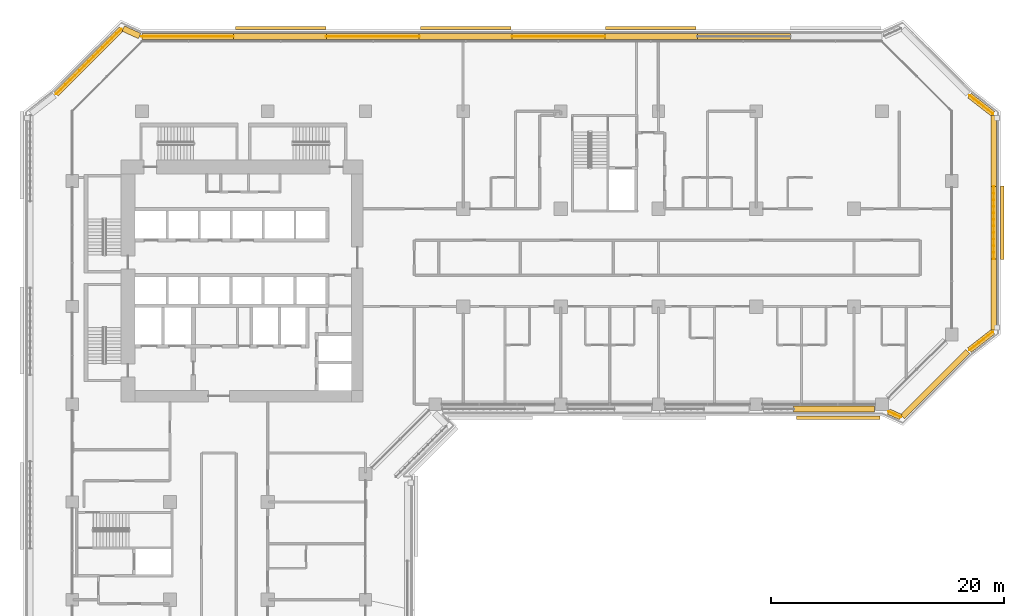
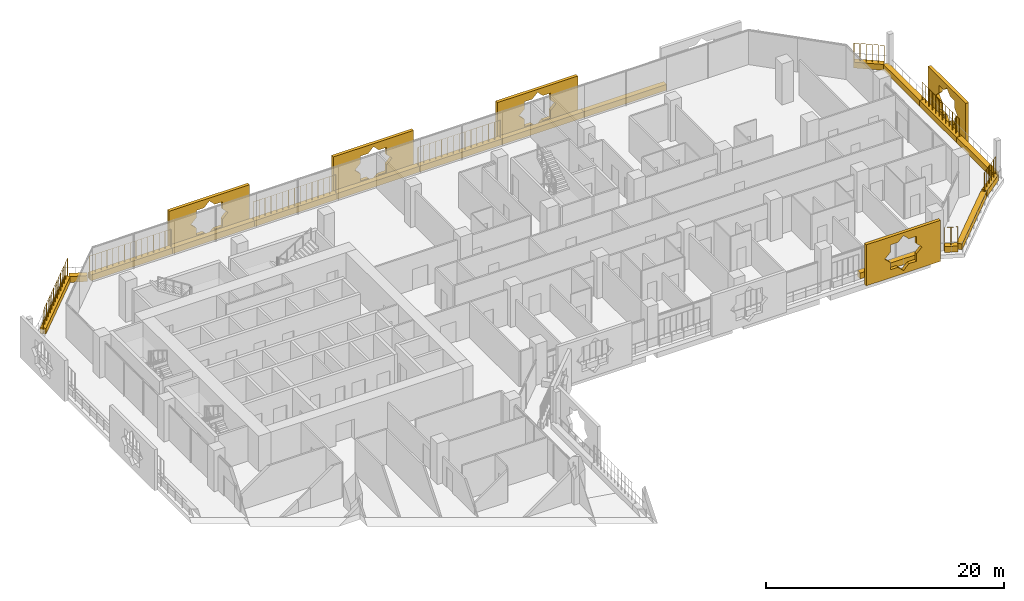
# One storey, part 24 of 25: 22 coverings, 8 railings.
"""IFC4 building model written with IfcOpenShell, lengths in metres."""

from ifc_helpers import new_model, si_unit, direction, frame, origin, origin_2d, place, context, subcontext, project, spatial, polyline, rectangle, circle, outline, extrude, material, material_profile, profile_set, type_object, element, save


model = new_model("IFC4")

# Units and contexts
model_context = context("Model", 3, precision=1e-05, world=origin(), true_north=direction((0.0, 1.0)))
body_context = subcontext(model_context, "Body", "Model", "MODEL_VIEW")
ifc_project = project(units=[si_unit("LENGTHUNIT", "METRE"), si_unit("AREAUNIT", "SQUARE_METRE"), si_unit("VOLUMEUNIT", "CUBIC_METRE"), si_unit("PLANEANGLEUNIT", "RADIAN"), si_unit("MASSUNIT", "GRAM", prefix="KILO")], contexts=[model_context])

# Site, building, storey
site_placement = place(None, origin())
site = spatial("IfcSite", under=ifc_project, at=site_placement, CompositionType="ELEMENT")
building_placement = place(site_placement, origin())
building = spatial("IfcBuilding", under=site, at=building_placement, Name="Kawkab Arch Medical Tower", CompositionType="ELEMENT")
storey_placement = place(building_placement, frame((0.0, 0.0, 136.60009765625)))
storey = spatial("IfcBuildingStorey", under=building, at=storey_placement, Name="L31", CompositionType="ELEMENT", Elevation=136.60009765625)

# Coverings
ifc_material_1 = material(Name="Bronze anodised aluminium mashrabiya panel, eight-point star pattern", Category="aluminium")
ifc_material_profile_1 = material_profile(ifc_material_1, outline(polyline([(-3.14990234375, -2.10009765625), (3.14990234375, -2.10009765625), (3.14990234375, 2.10009765625), (-3.14990234375, 2.10009765625), (-3.14990234375, -2.10009765625)]), holes=[polyline([(1.800048828125, 0.0), (1.272705078125, 0.527099609375), (1.272705078125, 1.272705078125), (0.527099609375, 1.272705078125), (0.0, 1.800048828125), (-0.527099609375, 1.272705078125), (-1.272705078125, 1.272705078125), (-1.272705078125, 0.527099609375), (-1.800048828125, 0.0), (-1.272705078125, -0.527099609375), (-1.272705078125, -1.272705078125), (-0.527099609375, -1.272705078125), (0.0, -1.800048828125), (0.527099609375, -1.272705078125), (1.272705078125, -1.272705078125), (1.272705078125, -0.527099609375), (1.800048828125, 0.0)])]), Name="Mashrabiya panel 6300x4200")
ifc_profile_set_1 = profile_set([ifc_material_profile_1], Name="Bronze anodised aluminium mashrabiya panel, eight-point star pattern")
covering_type_1 = type_object("IfcCoveringType", Name="Mashrabiya panel 6300 x 4200", PredefinedType="USERDEFINED", material=ifc_profile_set_1)
covering_1_placement = place(storey_placement, frame((79.800048828125, -9.60009765625, 1.699951171875), z_axis=(1.0, 0.0, 0.0), x_axis=(0.0, 1.0, 0.0)))
element("IfcCovering", 1, at=covering_1_placement, inside=storey, type_object=covering_type_1, Name="Mashrabiya panel L31.LOG-01-01.10", ObjectType="SCREEN", PredefinedType="USERDEFINED", context=body_context, shape_type="SweptSolid", body=[
    extrude(outline(polyline([(-3.14990234375, -2.10009765625), (3.14990234375, -2.10009765625), (3.14990234375, 2.10009765625), (-3.14990234375, 2.10009765625), (-3.14990234375, -2.10009765625)]), holes=[polyline([(1.800048828125, 0.0), (1.272705078125, 0.527099609375), (1.272705078125, 1.272705078125), (0.527099609375, 1.272705078125), (0.0, 1.800048828125), (-0.527099609375, 1.272705078125), (-1.272705078125, 1.272705078125), (-1.272705078125, 0.527099609375), (-1.800048828125, 0.0), (-1.272705078125, -0.527099609375), (-1.272705078125, -1.272705078125), (-0.527099609375, -1.272705078125), (0.0, -1.800048828125), (0.527099609375, -1.272705078125), (1.272705078125, -1.272705078125), (1.272705078125, -0.527099609375), (1.800048828125, 0.0)])]), origin(), (0.0, 0.0, 1.0), 0.300048828125),
])
ifc_material_2 = material(Name="Bronze anodised aluminium mashrabiya panel, eight-point star pattern", Category="aluminium")
ifc_material_profile_2 = material_profile(ifc_material_2, outline(polyline([(-3.60009765625, -2.10009765625), (3.60009765625, -2.10009765625), (3.60009765625, 2.10009765625), (-3.60009765625, 2.10009765625), (-3.60009765625, -2.10009765625)]), holes=[polyline([(1.800048828125, 0.0), (1.272705078125, 0.527099609375), (1.272705078125, 1.272705078125), (0.527099609375, 1.272705078125), (0.0, 1.800048828125), (-0.527099609375, 1.272705078125), (-1.272705078125, 1.272705078125), (-1.272705078125, 0.527099609375), (-1.800048828125, 0.0), (-1.272705078125, -0.527099609375), (-1.272705078125, -1.272705078125), (-0.527099609375, -1.272705078125), (0.0, -1.800048828125), (0.527099609375, -1.272705078125), (1.272705078125, -1.272705078125), (1.272705078125, -0.527099609375), (1.800048828125, 0.0)])]), Name="Mashrabiya panel 7200x4200")
ifc_profile_set_2 = profile_set([ifc_material_profile_2], Name="Bronze anodised aluminium mashrabiya panel, eight-point star pattern")
covering_type_2 = type_object("IfcCoveringType", Name="Mashrabiya panel 7200 x 4200", PredefinedType="USERDEFINED", material=ifc_profile_set_2)
covering_2_placement = place(storey_placement, frame((65.840087890625, -26.199951171875, 1.699951171875), z_axis=(0.0, -1.0, 0.0), x_axis=(1.0, 0.0, 0.0)))
element("IfcCovering", 2, at=covering_2_placement, inside=storey, type_object=covering_type_2, Name="Mashrabiya panel L31.LOG-01-01.11", ObjectType="SCREEN", PredefinedType="USERDEFINED", context=body_context, shape_type="SweptSolid", body=[
    extrude(outline(polyline([(-3.60009765625, -2.10009765625), (3.60009765625, -2.10009765625), (3.60009765625, 2.10009765625), (-3.60009765625, 2.10009765625), (-3.60009765625, -2.10009765625)]), holes=[polyline([(1.800048828125, 0.0), (1.272705078125, 0.527099609375), (1.272705078125, 1.272705078125), (0.527099609375, 1.272705078125), (0.0, 1.800048828125), (-0.527099609375, 1.272705078125), (-1.272705078125, 1.272705078125), (-1.272705078125, 0.527099609375), (-1.800048828125, 0.0), (-1.272705078125, -0.527099609375), (-1.272705078125, -1.272705078125), (-0.527099609375, -1.272705078125), (0.0, -1.800048828125), (0.527099609375, -1.272705078125), (1.272705078125, -1.272705078125), (1.272705078125, -0.527099609375), (1.800048828125, 0.0)])]), origin(), (0.0, 0.0, 1.0), 0.300048828125),
])
ifc_material_3 = material(Name="Bronze anodised aluminium mashrabiya panel, eight-point star pattern", Category="aluminium")
ifc_material_profile_3 = material_profile(ifc_material_3, outline(polyline([(-3.89990234375, -2.10009765625), (3.89990234375, -2.10009765625), (3.89990234375, 2.10009765625), (-3.89990234375, 2.10009765625), (-3.89990234375, -2.10009765625)]), holes=[polyline([(1.800048828125, 0.0), (1.272705078125, 0.527099609375), (1.272705078125, 1.272705078125), (0.527099609375, 1.272705078125), (0.0, 1.800048828125), (-0.527099609375, 1.272705078125), (-1.272705078125, 1.272705078125), (-1.272705078125, 0.527099609375), (-1.800048828125, 0.0), (-1.272705078125, -0.527099609375), (-1.272705078125, -1.272705078125), (-0.527099609375, -1.272705078125), (0.0, -1.800048828125), (0.527099609375, -1.272705078125), (1.272705078125, -1.272705078125), (1.272705078125, -0.527099609375), (1.800048828125, 0.0)])]), Name="Mashrabiya panel 7800x4200")
ifc_profile_set_3 = profile_set([ifc_material_profile_3], Name="Bronze anodised aluminium mashrabiya panel, eight-point star pattern")
covering_type_3 = type_object("IfcCoveringType", Name="Mashrabiya panel 7800 x 4200", PredefinedType="USERDEFINED", material=ifc_profile_set_3)
for number, where, z_axis, x_axis, name in (
    (3, (17.923583984375, 7.0, 1.699951171875), (0.0, 1.0, 0.0), (-1.0, 0.0, 0.0), "Mashrabiya panel L31.LOG-01-01.6"),
    (4, (33.82470703125, 7.0, 1.699951171875), (0.0, 1.0, 0.0), (-1.0, 0.0, 0.0), "Mashrabiya panel L31.LOG-01-01.7"),
    (5, (49.725830078125, 7.0, 1.699951171875), (0.0, 1.0, 0.0), (-1.0, 0.0, 0.0), "Mashrabiya panel L31.LOG-01-01.8"),
):
    element("IfcCovering", number, at=place(storey_placement, frame(where, z_axis=z_axis, x_axis=x_axis)), inside=storey, type_object=covering_type_3, Name=name, ObjectType="SCREEN", PredefinedType="USERDEFINED", context=body_context, shape_type="SweptSolid", body=[
        extrude(outline(polyline([(-3.89990234375, -2.10009765625), (3.89990234375, -2.10009765625), (3.89990234375, 2.10009765625), (-3.89990234375, 2.10009765625), (-3.89990234375, -2.10009765625)]), holes=[polyline([(1.800048828125, 0.0), (1.272705078125, 0.527099609375), (1.272705078125, 1.272705078125), (0.527099609375, 1.272705078125), (0.0, 1.800048828125), (-0.527099609375, 1.272705078125), (-1.272705078125, 1.272705078125), (-1.272705078125, 0.527099609375), (-1.800048828125, 0.0), (-1.272705078125, -0.527099609375), (-1.272705078125, -1.272705078125), (-0.527099609375, -1.272705078125), (0.0, -1.800048828125), (0.527099609375, -1.272705078125), (1.272705078125, -1.272705078125), (1.272705078125, -0.527099609375), (1.800048828125, 0.0)])]), origin(), (0.0, 0.0, 1.0), 0.300048828125),
    ])
ifc_material_4 = material(Name="Planting soil in a precast trough", Category="concrete")
ifc_material_profile_4 = material_profile(ifc_material_4, rectangle(XDim=0.5, YDim=0.60009765625, at=origin_2d()), Name="Trough 500x600")
ifc_profile_set_4 = profile_set([ifc_material_profile_4], Name="Planting soil in a precast trough")
covering_type_4 = type_object("IfcCoveringType", Name="Planter trough 500 x 600", PredefinedType="USERDEFINED", material=ifc_profile_set_4)
covering_3_placement = place(storey_placement, frame((-1.383056640625, 1.472900390625, 0.2998046875), z_axis=(0.707106781187, 0.707106781187, 0.0), x_axis=(-0.707106781187, 0.707106781187, 0.0)))
element("IfcCovering", 6, at=covering_3_placement, inside=storey, type_object=covering_type_4, Name="Planter L31.LOG-01-01.15", ObjectType="PLANTER", PredefinedType="USERDEFINED", context=body_context, shape_type="SweptSolid", body=[
    extrude(rectangle(XDim=0.5, YDim=0.60009765625, at=origin_2d()), origin(), (0.0, 0.0, 1.0), 7.919677734375),
])
covering_4_placement = place(storey_placement, frame((4.37890625, 7.10205078125, 0.2998046875), z_axis=(0.909655525109, -0.415363486165, 0.0), x_axis=(0.415363486165, 0.909655525109, 0.0)))
element("IfcCovering", 7, at=covering_4_placement, inside=storey, type_object=covering_type_4, Name="Planter L31.LOG-01-01.16", ObjectType="PLANTER", PredefinedType="USERDEFINED", context=body_context, shape_type="SweptSolid", body=[
    extrude(rectangle(XDim=0.5, YDim=0.60009765625, at=origin_2d()), origin(), (0.0, 0.0, 1.0), 1.54345703125),
])
covering_5_placement = place(storey_placement, frame((5.97412109375, 6.419921875, 0.2998046875), z_axis=(1.0, 0.0, 0.0), x_axis=(0.0, 1.0, 0.0)))
element("IfcCovering", 8, at=covering_5_placement, inside=storey, type_object=covering_type_4, Name="Planter L31.LOG-01-01.17", ObjectType="PLANTER", PredefinedType="USERDEFINED", context=body_context, shape_type="SweptSolid", body=[
    extrude(rectangle(XDim=0.5, YDim=0.60009765625, at=origin_2d()), origin(), (0.0, 0.0, 1.0), 7.8818359375),
])
covering_6_placement = place(storey_placement, frame((13.85595703125, 6.419921875, 0.2998046875), z_axis=(1.0, 0.0, 0.0), x_axis=(0.0, 1.0, 0.0)))
element("IfcCovering", 9, at=covering_6_placement, inside=storey, type_object=covering_type_4, Name="Planter L31.LOG-01-01.18", ObjectType="PLANTER", PredefinedType="USERDEFINED", context=body_context, shape_type="SweptSolid", body=[
    extrude(rectangle(XDim=0.5, YDim=0.60009765625, at=origin_2d()), origin(), (0.0, 0.0, 1.0), 7.98095703125),
])
covering_7_placement = place(storey_placement, frame((21.8369140625, 6.419921875, 0.2998046875), z_axis=(1.0, 0.0, 0.0), x_axis=(0.0, 1.0, 0.0)))
element("IfcCovering", 10, at=covering_7_placement, inside=storey, type_object=covering_type_4, Name="Planter L31.LOG-01-01.19", ObjectType="PLANTER", PredefinedType="USERDEFINED", context=body_context, shape_type="SweptSolid", body=[
    extrude(rectangle(XDim=0.5, YDim=0.60009765625, at=origin_2d()), origin(), (0.0, 0.0, 1.0), 7.982177734375),
])
for number, where, z_axis, x_axis, name in (
    (11, (29.819091796875, 6.419921875, 0.2998046875), (1.0, 0.0, 0.0), (0.0, 1.0, 0.0), "Planter L31.LOG-01-01.20"),
    (12, (37.800048828125, 6.419921875, 0.2998046875), (1.0, 0.0, 0.0), (0.0, 1.0, 0.0), "Planter L31.LOG-01-01.21"),
):
    element("IfcCovering", number, at=place(storey_placement, frame(where, z_axis=z_axis, x_axis=x_axis)), inside=storey, type_object=covering_type_4, Name=name, ObjectType="PLANTER", PredefinedType="USERDEFINED", context=body_context, shape_type="SweptSolid", body=[
        extrude(rectangle(XDim=0.5, YDim=0.60009765625, at=origin_2d()), origin(), (0.0, 0.0, 1.0), 7.98095703125),
    ])
covering_8_placement = place(storey_placement, frame((45.781005859375, 6.419921875, 0.2998046875), z_axis=(1.0, 0.0, 0.0), x_axis=(0.0, 1.0, 0.0)))
element("IfcCovering", 13, at=covering_8_placement, inside=storey, type_object=covering_type_4, Name="Planter L31.LOG-01-01.22", ObjectType="PLANTER", PredefinedType="USERDEFINED", context=body_context, shape_type="SweptSolid", body=[
    extrude(rectangle(XDim=0.5, YDim=0.60009765625, at=origin_2d()), origin(), (0.0, 0.0, 1.0), 7.98193359375),
])
covering_9_placement = place(storey_placement, frame((53.762939453125, 6.419921875, 0.2998046875), z_axis=(1.0, 0.0, 0.0), x_axis=(0.0, 1.0, 0.0)))
element("IfcCovering", 14, at=covering_9_placement, inside=storey, type_object=covering_type_4, Name="Planter L31.LOG-01-01.23", ObjectType="PLANTER", PredefinedType="USERDEFINED", context=body_context, shape_type="SweptSolid", body=[
    extrude(rectangle(XDim=0.5, YDim=0.60009765625, at=origin_2d()), origin(), (0.0, 0.0, 1.0), 7.98095703125),
])
covering_10_placement = place(storey_placement, frame((77.132080078125, 1.341064453125, 0.2998046875), z_axis=(0.789274742246, -0.61404021143, 0.0), x_axis=(0.61404021143, 0.789274742246, 0.0)))
element("IfcCovering", 15, at=covering_10_placement, inside=storey, type_object=covering_type_4, Name="Planter L31.LOG-01-01.27", ObjectType="PLANTER", PredefinedType="USERDEFINED", context=body_context, shape_type="SweptSolid", body=[
    extrude(rectangle(XDim=0.5, YDim=0.60009765625, at=origin_2d()), origin(), (0.0, 0.0, 1.0), 2.54541015625),
])
covering_11_placement = place(storey_placement, frame((79.219970703125, -0.384033203125, 0.2998046875), z_axis=(0.0, -1.0, 0.0), x_axis=(1.0, 0.0, 0.0)))
element("IfcCovering", 16, at=covering_11_placement, inside=storey, type_object=covering_type_4, Name="Planter L31.LOG-01-01.28", ObjectType="PLANTER", PredefinedType="USERDEFINED", context=body_context, shape_type="SweptSolid", body=[
    extrude(rectangle(XDim=0.5, YDim=0.60009765625, at=origin_2d()), origin(), (0.0, 0.0, 1.0), 6.111083984375),
])
covering_12_placement = place(storey_placement, frame((79.219970703125, -6.4951171875, 0.2998046875), z_axis=(0.0, -1.0, 0.0), x_axis=(1.0, 0.0, 0.0)))
element("IfcCovering", 17, at=covering_12_placement, inside=storey, type_object=covering_type_4, Name="Planter L31.LOG-01-01.29", ObjectType="PLANTER", PredefinedType="USERDEFINED", context=body_context, shape_type="SweptSolid", body=[
    extrude(rectangle(XDim=0.5, YDim=0.60009765625, at=origin_2d()), origin(), (0.0, 0.0, 1.0), 6.2099609375),
])
covering_13_placement = place(storey_placement, frame((79.219970703125, -12.705078125, 0.2998046875), z_axis=(0.0, -1.0, 0.0), x_axis=(1.0, 0.0, 0.0)))
element("IfcCovering", 18, at=covering_13_placement, inside=storey, type_object=covering_type_4, Name="Planter L31.LOG-01-01.30", ObjectType="PLANTER", PredefinedType="USERDEFINED", context=body_context, shape_type="SweptSolid", body=[
    extrude(rectangle(XDim=0.5, YDim=0.60009765625, at=origin_2d()), origin(), (0.0, 0.0, 1.0), 6.11083984375),
])
covering_14_placement = place(storey_placement, frame((79.14111328125, -18.97802734375, 0.2998046875), z_axis=(-0.789274742246, -0.61404021143, 0.0), x_axis=(0.61404021143, -0.789274742246, 0.0)))
element("IfcCovering", 19, at=covering_14_placement, inside=storey, type_object=covering_type_4, Name="Planter L31.LOG-01-01.31", ObjectType="PLANTER", PredefinedType="USERDEFINED", context=body_context, shape_type="SweptSolid", body=[
    extrude(rectangle(XDim=0.5, YDim=0.60009765625, at=origin_2d()), origin(), (0.0, 0.0, 1.0), 2.54541015625),
])
covering_15_placement = place(storey_placement, frame((76.98291015625, -20.673095703125, 0.2998046875), z_axis=(-0.707106781187, -0.707106781187, 0.0), x_axis=(0.707106781187, -0.707106781187, 0.0)))
element("IfcCovering", 20, at=covering_15_placement, inside=storey, type_object=covering_type_4, Name="Planter L31.LOG-01-01.32", ObjectType="PLANTER", PredefinedType="USERDEFINED", context=body_context, shape_type="SweptSolid", body=[
    extrude(rectangle(XDim=0.5, YDim=0.60009765625, at=origin_2d()), origin(), (0.0, 0.0, 1.0), 7.91943359375),
])
covering_16_placement = place(storey_placement, frame((71.220947265625, -26.302001953125, 0.2998046875), z_axis=(-0.90986596287, 0.414902313335, 0.0), x_axis=(-0.414902313335, -0.90986596287, 0.0)))
element("IfcCovering", 21, at=covering_16_placement, inside=storey, type_object=covering_type_4, Name="Planter L31.LOG-01-01.33", ObjectType="PLANTER", PredefinedType="USERDEFINED", context=body_context, shape_type="SweptSolid", body=[
    extrude(rectangle(XDim=0.5, YDim=0.60009765625, at=origin_2d()), origin(), (0.0, 0.0, 1.0), 1.137451171875),
])
covering_17_placement = place(storey_placement, frame((68.969970703125, -25.6201171875, 0.2998046875), z_axis=(-1.0, 0.0, 0.0), x_axis=(0.0, -1.0, 0.0)))
element("IfcCovering", 22, at=covering_17_placement, inside=storey, type_object=covering_type_4, Name="Planter L31.LOG-01-01.34", ObjectType="PLANTER", PredefinedType="USERDEFINED", context=body_context, shape_type="SweptSolid", body=[
    extrude(rectangle(XDim=0.5, YDim=0.60009765625, at=origin_2d()), origin(), (0.0, 0.0, 1.0), 6.951904296875),
])

# Railings
ifc_material_5 = material(Name="Bronze anodised aluminium trellis for climbing plants", Category="aluminium")
railing_type = type_object("IfcRailingType", Name="Planting trellis 2400", PredefinedType="USERDEFINED", material=ifc_material_5)
railing_1_placement = place(storey_placement, frame((-1.383056640625, 1.472900390625, 0.0)))
element("IfcRailing", 23, at=railing_1_placement, inside=storey, type_object=railing_type, Name="Planting trellis L31.LOG-01-01.15", ObjectType="TRELLIS", PredefinedType="USERDEFINED", context=body_context, shape_type="SweptSolid", body=[
    extrude(circle(Radius=0.01513671875, at=origin_2d()), frame((0.0, 0.0, 2.384765625), z_axis=(0.707106781187, 0.707106781187, 0.0), x_axis=(-0.707106781187, 0.707106781187, 0.0)), (0.0, 0.0, 1.0), 7.919677734375),
    extrude(circle(Radius=0.030029296875, at=origin_2d()), origin(), (0.0, 0.0, 1.0), 2.369873046875),
    extrude(circle(Radius=0.030029296875, at=origin_2d()), frame((0.39990234375, 0.39990234375, 0.0)), (0.0, 0.0, 1.0), 2.369873046875),
    extrude(circle(Radius=0.030029296875, at=origin_2d()), frame((0.800048828125, 0.800048828125, 0.0)), (0.0, 0.0, 1.0), 2.369873046875),
    extrude(circle(Radius=0.030029296875, at=origin_2d()), frame((1.199951171875, 1.199951171875, 0.0)), (0.0, 0.0, 1.0), 2.369873046875),
    extrude(circle(Radius=0.030029296875, at=origin_2d()), frame((1.60009765625, 1.60009765625, 0.0)), (0.0, 0.0, 1.0), 2.369873046875),
    extrude(circle(Radius=0.030029296875, at=origin_2d()), frame((2.0, 2.0, 0.0)), (0.0, 0.0, 1.0), 2.369873046875),
    extrude(circle(Radius=0.030029296875, at=origin_2d()), frame((2.400146484375, 2.400146484375, 0.0)), (0.0, 0.0, 1.0), 2.369873046875),
    extrude(circle(Radius=0.030029296875, at=origin_2d()), frame((2.800048828125, 2.800048828125, 0.0)), (0.0, 0.0, 1.0), 2.369873046875),
    extrude(circle(Radius=0.030029296875, at=origin_2d()), frame((3.199951171875, 3.199951171875, 0.0)), (0.0, 0.0, 1.0), 2.369873046875),
    extrude(circle(Radius=0.030029296875, at=origin_2d()), frame((3.60009765625, 3.60009765625, 0.0)), (0.0, 0.0, 1.0), 2.369873046875),
    extrude(circle(Radius=0.030029296875, at=origin_2d()), frame((4.0, 4.0, 0.0)), (0.0, 0.0, 1.0), 2.369873046875),
    extrude(circle(Radius=0.030029296875, at=origin_2d()), frame((4.400146484375, 4.400146484375, 0.0)), (0.0, 0.0, 1.0), 2.369873046875),
    extrude(circle(Radius=0.030029296875, at=origin_2d()), frame((4.800048828125, 4.800048828125, 0.0)), (0.0, 0.0, 1.0), 2.369873046875),
    extrude(circle(Radius=0.030029296875, at=origin_2d()), frame((5.2001953125, 5.2001953125, 0.0)), (0.0, 0.0, 1.0), 2.369873046875),
    extrude(circle(Radius=0.030029296875, at=origin_2d()), frame((5.60009765625, 5.60009765625, 0.0)), (0.0, 0.0, 1.0), 2.369873046875),
])
railing_2_placement = place(storey_placement, frame((5.97412109375, 6.419921875, 0.0)))
element("IfcRailing", 24, at=railing_2_placement, inside=storey, type_object=railing_type, Name="Planting trellis L31.LOG-01-01.17", ObjectType="TRELLIS", PredefinedType="USERDEFINED", context=body_context, shape_type="SweptSolid", body=[
    extrude(circle(Radius=0.01513671875, at=origin_2d()), frame((0.0, 0.0, 2.384765625), z_axis=(1.0, 0.0, 0.0), x_axis=(0.0, 1.0, 0.0)), (0.0, 0.0, 1.0), 7.8818359375),
    extrude(circle(Radius=0.030029296875, at=origin_2d()), origin(), (0.0, 0.0, 1.0), 2.369873046875),
    extrude(circle(Radius=0.030029296875, at=origin_2d()), frame((0.56298828125, 0.0, 0.0)), (0.0, 0.0, 1.0), 2.369873046875),
    extrude(circle(Radius=0.030029296875, at=origin_2d()), frame((1.1259765625, 0.0, 0.0)), (0.0, 0.0, 1.0), 2.369873046875),
    extrude(circle(Radius=0.030029296875, at=origin_2d()), frame((1.68896484375, 0.0, 0.0)), (0.0, 0.0, 1.0), 2.369873046875),
    extrude(circle(Radius=0.030029296875, at=origin_2d()), frame((2.251953125, 0.0, 0.0)), (0.0, 0.0, 1.0), 2.369873046875),
    extrude(circle(Radius=0.030029296875, at=origin_2d()), frame((2.81494140625, 0.0, 0.0)), (0.0, 0.0, 1.0), 2.369873046875),
    extrude(circle(Radius=0.030029296875, at=origin_2d()), frame((3.3779296875, 0.0, 0.0)), (0.0, 0.0, 1.0), 2.369873046875),
    extrude(circle(Radius=0.030029296875, at=origin_2d()), frame((3.94091796875, 0.0, 0.0)), (0.0, 0.0, 1.0), 2.369873046875),
    extrude(circle(Radius=0.030029296875, at=origin_2d()), frame((4.50390625, 0.0, 0.0)), (0.0, 0.0, 1.0), 2.369873046875),
    extrude(circle(Radius=0.030029296875, at=origin_2d()), frame((5.06689453125, 0.0, 0.0)), (0.0, 0.0, 1.0), 2.369873046875),
    extrude(circle(Radius=0.030029296875, at=origin_2d()), frame((5.6298828125, 0.0, 0.0)), (0.0, 0.0, 1.0), 2.369873046875),
    extrude(circle(Radius=0.030029296875, at=origin_2d()), frame((6.19287109375, 0.0, 0.0)), (0.0, 0.0, 1.0), 2.369873046875),
    extrude(circle(Radius=0.030029296875, at=origin_2d()), frame((6.755859375, 0.0, 0.0)), (0.0, 0.0, 1.0), 2.369873046875),
    extrude(circle(Radius=0.030029296875, at=origin_2d()), frame((7.31884765625, 0.0, 0.0)), (0.0, 0.0, 1.0), 2.369873046875),
    extrude(circle(Radius=0.030029296875, at=origin_2d()), frame((7.8818359375, 0.0, 0.0)), (0.0, 0.0, 1.0), 2.369873046875),
])
railing_3_placement = place(storey_placement, frame((21.8369140625, 6.419921875, 0.0)))
element("IfcRailing", 25, at=railing_3_placement, inside=storey, type_object=railing_type, Name="Planting trellis L31.LOG-01-01.19", ObjectType="TRELLIS", PredefinedType="USERDEFINED", context=body_context, shape_type="SweptSolid", body=[
    extrude(circle(Radius=0.01513671875, at=origin_2d()), frame((0.0, 0.0, 2.384765625), z_axis=(1.0, 0.0, 0.0), x_axis=(0.0, 1.0, 0.0)), (0.0, 0.0, 1.0), 7.982177734375),
    extrude(circle(Radius=0.030029296875, at=origin_2d()), origin(), (0.0, 0.0, 1.0), 2.369873046875),
    extrude(circle(Radius=0.030029296875, at=origin_2d()), frame((0.570068359375, 0.0, 0.0)), (0.0, 0.0, 1.0), 2.369873046875),
    extrude(circle(Radius=0.030029296875, at=origin_2d()), frame((1.140380859375, 0.0, 0.0)), (0.0, 0.0, 1.0), 2.369873046875),
    extrude(circle(Radius=0.030029296875, at=origin_2d()), frame((1.71044921875, 0.0, 0.0)), (0.0, 0.0, 1.0), 2.369873046875),
    extrude(circle(Radius=0.030029296875, at=origin_2d()), frame((2.280517578125, 0.0, 0.0)), (0.0, 0.0, 1.0), 2.369873046875),
    extrude(circle(Radius=0.030029296875, at=origin_2d()), frame((2.850830078125, 0.0, 0.0)), (0.0, 0.0, 1.0), 2.369873046875),
    extrude(circle(Radius=0.030029296875, at=origin_2d()), frame((3.4208984375, 0.0, 0.0)), (0.0, 0.0, 1.0), 2.369873046875),
    extrude(circle(Radius=0.030029296875, at=origin_2d()), frame((3.9912109375, 0.0, 0.0)), (0.0, 0.0, 1.0), 2.369873046875),
    extrude(circle(Radius=0.030029296875, at=origin_2d()), frame((4.561279296875, 0.0, 0.0)), (0.0, 0.0, 1.0), 2.369873046875),
    extrude(circle(Radius=0.030029296875, at=origin_2d()), frame((5.13134765625, 0.0, 0.0)), (0.0, 0.0, 1.0), 2.369873046875),
    extrude(circle(Radius=0.030029296875, at=origin_2d()), frame((5.70166015625, 0.0, 0.0)), (0.0, 0.0, 1.0), 2.369873046875),
    extrude(circle(Radius=0.030029296875, at=origin_2d()), frame((6.271728515625, 0.0, 0.0)), (0.0, 0.0, 1.0), 2.369873046875),
    extrude(circle(Radius=0.030029296875, at=origin_2d()), frame((6.841796875, 0.0, 0.0)), (0.0, 0.0, 1.0), 2.369873046875),
    extrude(circle(Radius=0.030029296875, at=origin_2d()), frame((7.412109375, 0.0, 0.0)), (0.0, 0.0, 1.0), 2.369873046875),
    extrude(circle(Radius=0.030029296875, at=origin_2d()), frame((7.982177734375, 0.0, 0.0)), (0.0, 0.0, 1.0), 2.369873046875),
])
railing_4_placement = place(storey_placement, frame((37.800048828125, 6.419921875, 0.0)))
element("IfcRailing", 26, at=railing_4_placement, inside=storey, type_object=railing_type, Name="Planting trellis L31.LOG-01-01.21", ObjectType="TRELLIS", PredefinedType="USERDEFINED", context=body_context, shape_type="SweptSolid", body=[
    extrude(circle(Radius=0.01513671875, at=origin_2d()), frame((0.0, 0.0, 2.384765625), z_axis=(1.0, 0.0, 0.0), x_axis=(0.0, 1.0, 0.0)), (0.0, 0.0, 1.0), 7.98095703125),
    extrude(circle(Radius=0.030029296875, at=origin_2d()), origin(), (0.0, 0.0, 1.0), 2.369873046875),
    extrude(circle(Radius=0.030029296875, at=origin_2d()), frame((0.570068359375, 0.0, 0.0)), (0.0, 0.0, 1.0), 2.369873046875),
    extrude(circle(Radius=0.030029296875, at=origin_2d()), frame((1.14013671875, 0.0, 0.0)), (0.0, 0.0, 1.0), 2.369873046875),
    extrude(circle(Radius=0.030029296875, at=origin_2d()), frame((1.710205078125, 0.0, 0.0)), (0.0, 0.0, 1.0), 2.369873046875),
    extrude(circle(Radius=0.030029296875, at=origin_2d()), frame((2.2802734375, 0.0, 0.0)), (0.0, 0.0, 1.0), 2.369873046875),
    extrude(circle(Radius=0.030029296875, at=origin_2d()), frame((2.850341796875, 0.0, 0.0)), (0.0, 0.0, 1.0), 2.369873046875),
    extrude(circle(Radius=0.030029296875, at=origin_2d()), frame((3.42041015625, 0.0, 0.0)), (0.0, 0.0, 1.0), 2.369873046875),
    extrude(circle(Radius=0.030029296875, at=origin_2d()), frame((3.990478515625, 0.0, 0.0)), (0.0, 0.0, 1.0), 2.369873046875),
    extrude(circle(Radius=0.030029296875, at=origin_2d()), frame((4.560546875, 0.0, 0.0)), (0.0, 0.0, 1.0), 2.369873046875),
    extrude(circle(Radius=0.030029296875, at=origin_2d()), frame((5.130615234375, 0.0, 0.0)), (0.0, 0.0, 1.0), 2.369873046875),
    extrude(circle(Radius=0.030029296875, at=origin_2d()), frame((5.70068359375, 0.0, 0.0)), (0.0, 0.0, 1.0), 2.369873046875),
    extrude(circle(Radius=0.030029296875, at=origin_2d()), frame((6.270751953125, 0.0, 0.0)), (0.0, 0.0, 1.0), 2.369873046875),
    extrude(circle(Radius=0.030029296875, at=origin_2d()), frame((6.8408203125, 0.0, 0.0)), (0.0, 0.0, 1.0), 2.369873046875),
    extrude(circle(Radius=0.030029296875, at=origin_2d()), frame((7.410888671875, 0.0, 0.0)), (0.0, 0.0, 1.0), 2.369873046875),
    extrude(circle(Radius=0.030029296875, at=origin_2d()), frame((7.98095703125, 0.0, 0.0)), (0.0, 0.0, 1.0), 2.369873046875),
])
railing_5_placement = place(storey_placement, frame((77.132080078125, 1.341064453125, 0.0)))
element("IfcRailing", 27, at=railing_5_placement, inside=storey, type_object=railing_type, Name="Planting trellis L31.LOG-01-01.27", ObjectType="TRELLIS", PredefinedType="USERDEFINED", context=body_context, shape_type="SweptSolid", body=[
    extrude(circle(Radius=0.01513671875, at=origin_2d()), frame((0.0, 0.0, 2.384765625), z_axis=(0.789274742246, -0.61404021143, 0.0), x_axis=(0.61404021143, 0.789274742246, 0.0)), (0.0, 0.0, 1.0), 2.54541015625),
    extrude(circle(Radius=0.030029296875, at=origin_2d()), origin(), (0.0, 0.0, 1.0), 2.369873046875),
    extrude(circle(Radius=0.030029296875, at=origin_2d()), frame((0.40185546875, -0.3125, 0.0)), (0.0, 0.0, 1.0), 2.369873046875),
    extrude(circle(Radius=0.030029296875, at=origin_2d()), frame((0.8037109375, -0.625244140625, 0.0)), (0.0, 0.0, 1.0), 2.369873046875),
    extrude(circle(Radius=0.030029296875, at=origin_2d()), frame((1.205322265625, -0.937744140625, 0.0)), (0.0, 0.0, 1.0), 2.369873046875),
    extrude(circle(Radius=0.030029296875, at=origin_2d()), frame((1.607177734375, -1.25048828125, 0.0)), (0.0, 0.0, 1.0), 2.369873046875),
    extrude(circle(Radius=0.030029296875, at=origin_2d()), frame((2.009033203125, -1.56298828125, 0.0)), (0.0, 0.0, 1.0), 2.369873046875),
])
railing_6_placement = place(storey_placement, frame((79.219970703125, -6.4951171875, 0.0)))
element("IfcRailing", 28, at=railing_6_placement, inside=storey, type_object=railing_type, Name="Planting trellis L31.LOG-01-01.29", ObjectType="TRELLIS", PredefinedType="USERDEFINED", context=body_context, shape_type="SweptSolid", body=[
    extrude(circle(Radius=0.01513671875, at=origin_2d()), frame((0.0, 0.0, 2.384765625), z_axis=(0.0, -1.0, 0.0), x_axis=(1.0, 0.0, 0.0)), (0.0, 0.0, 1.0), 6.2099609375),
    extrude(circle(Radius=0.030029296875, at=origin_2d()), origin(), (0.0, 0.0, 1.0), 2.369873046875),
    extrude(circle(Radius=0.030029296875, at=origin_2d()), frame((0.0, -0.564453125, 0.0)), (0.0, 0.0, 1.0), 2.369873046875),
    extrude(circle(Radius=0.030029296875, at=origin_2d()), frame((0.0, -1.129150390625, 0.0)), (0.0, 0.0, 1.0), 2.369873046875),
    extrude(circle(Radius=0.030029296875, at=origin_2d()), frame((0.0, -1.693603515625, 0.0)), (0.0, 0.0, 1.0), 2.369873046875),
    extrude(circle(Radius=0.030029296875, at=origin_2d()), frame((0.0, -2.258056640625, 0.0)), (0.0, 0.0, 1.0), 2.369873046875),
    extrude(circle(Radius=0.030029296875, at=origin_2d()), frame((0.0, -2.82275390625, 0.0)), (0.0, 0.0, 1.0), 2.369873046875),
    extrude(circle(Radius=0.030029296875, at=origin_2d()), frame((0.0, -3.38720703125, 0.0)), (0.0, 0.0, 1.0), 2.369873046875),
    extrude(circle(Radius=0.030029296875, at=origin_2d()), frame((0.0, -3.951904296875, 0.0)), (0.0, 0.0, 1.0), 2.369873046875),
    extrude(circle(Radius=0.030029296875, at=origin_2d()), frame((0.0, -4.516357421875, 0.0)), (0.0, 0.0, 1.0), 2.369873046875),
    extrude(circle(Radius=0.030029296875, at=origin_2d()), frame((0.0, -5.080810546875, 0.0)), (0.0, 0.0, 1.0), 2.369873046875),
    extrude(circle(Radius=0.030029296875, at=origin_2d()), frame((0.0, -5.6455078125, 0.0)), (0.0, 0.0, 1.0), 2.369873046875),
    extrude(circle(Radius=0.030029296875, at=origin_2d()), frame((0.0, -6.2099609375, 0.0)), (0.0, 0.0, 1.0), 2.369873046875),
])
railing_7_placement = place(storey_placement, frame((79.14111328125, -18.97802734375, 0.0)))
element("IfcRailing", 29, at=railing_7_placement, inside=storey, type_object=railing_type, Name="Planting trellis L31.LOG-01-01.31", ObjectType="TRELLIS", PredefinedType="USERDEFINED", context=body_context, shape_type="SweptSolid", body=[
    extrude(circle(Radius=0.01513671875, at=origin_2d()), frame((0.0, 0.0, 2.384765625), z_axis=(-0.789274742246, -0.61404021143, 0.0), x_axis=(0.61404021143, -0.789274742246, 0.0)), (0.0, 0.0, 1.0), 2.54541015625),
    extrude(circle(Radius=0.030029296875, at=origin_2d()), origin(), (0.0, 0.0, 1.0), 2.369873046875),
    extrude(circle(Radius=0.030029296875, at=origin_2d()), frame((-0.40185546875, -0.3125, 0.0)), (0.0, 0.0, 1.0), 2.369873046875),
    extrude(circle(Radius=0.030029296875, at=origin_2d()), frame((-0.8037109375, -0.625244140625, 0.0)), (0.0, 0.0, 1.0), 2.369873046875),
    extrude(circle(Radius=0.030029296875, at=origin_2d()), frame((-1.205322265625, -0.937744140625, 0.0)), (0.0, 0.0, 1.0), 2.369873046875),
    extrude(circle(Radius=0.030029296875, at=origin_2d()), frame((-1.607177734375, -1.25048828125, 0.0)), (0.0, 0.0, 1.0), 2.369873046875),
    extrude(circle(Radius=0.030029296875, at=origin_2d()), frame((-2.009033203125, -1.56298828125, 0.0)), (0.0, 0.0, 1.0), 2.369873046875),
])
railing_8_placement = place(storey_placement, frame((71.220947265625, -26.302001953125, 0.0)))
element("IfcRailing", 30, at=railing_8_placement, inside=storey, type_object=railing_type, Name="Planting trellis L31.LOG-01-01.33", ObjectType="TRELLIS", PredefinedType="USERDEFINED", context=body_context, shape_type="SweptSolid", body=[
    extrude(circle(Radius=0.01513671875, at=origin_2d()), frame((0.0, 0.0, 2.384765625), z_axis=(-0.90986596287, 0.414902313335, 0.0), x_axis=(-0.414902313335, -0.90986596287, 0.0)), (0.0, 0.0, 1.0), 1.137451171875),
    extrude(circle(Radius=0.030029296875, at=origin_2d()), origin(), (0.0, 0.0, 1.0), 2.369873046875),
    extrude(circle(Radius=0.030029296875, at=origin_2d()), frame((-0.517578125, 0.23583984375, 0.0)), (0.0, 0.0, 1.0), 2.369873046875),
    extrude(circle(Radius=0.030029296875, at=origin_2d()), frame((-1.034912109375, 0.471923828125, 0.0)), (0.0, 0.0, 1.0), 2.369873046875),
])

save(model, "model.ifc")
